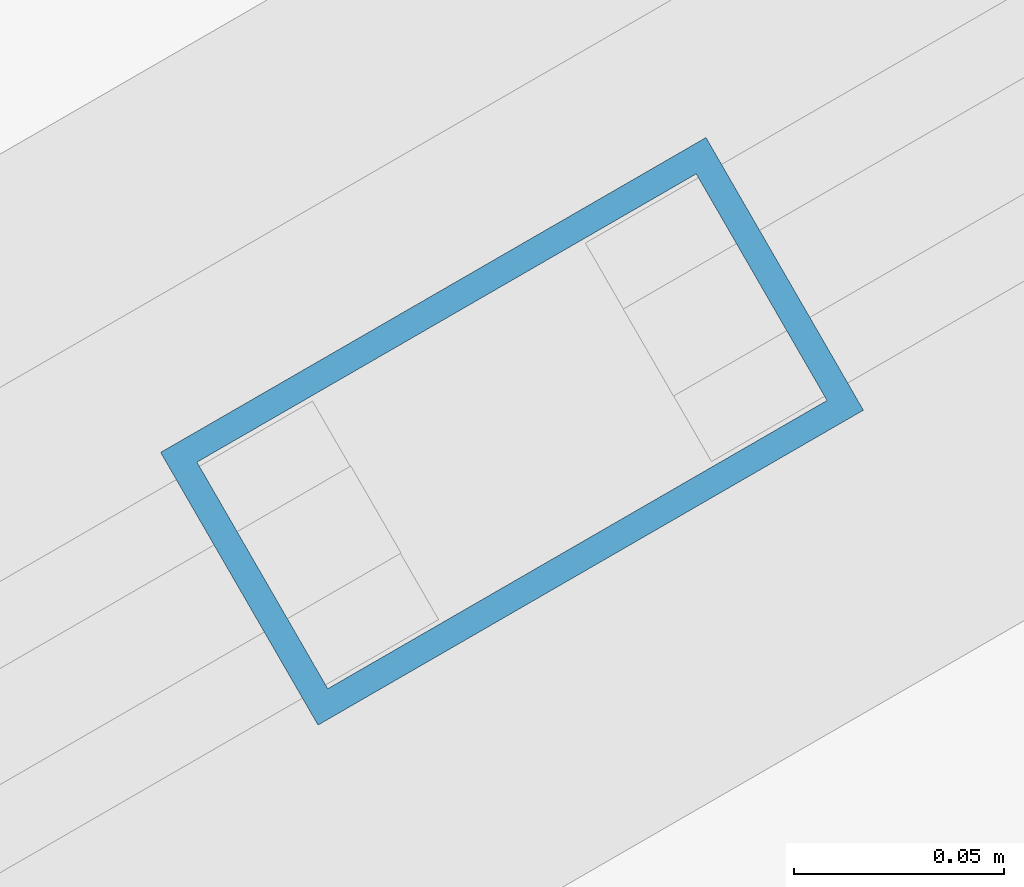
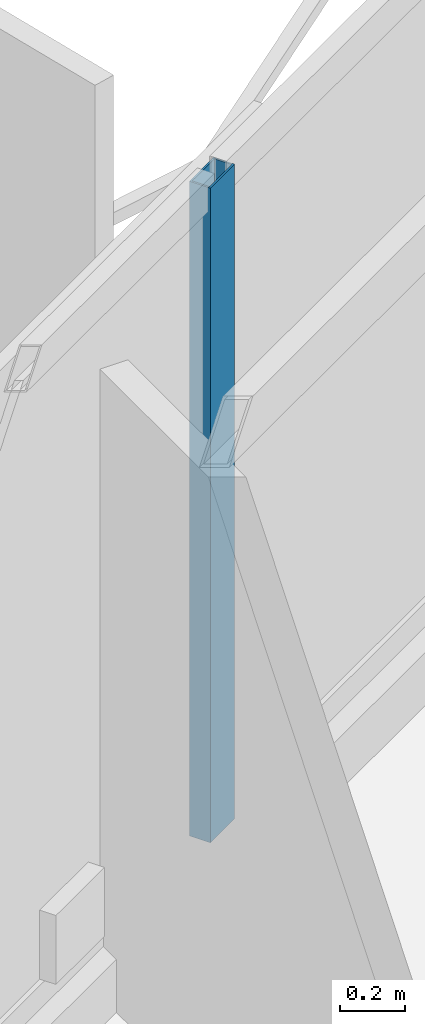
# One storey, part 11 of 22: 1 member, 1 element without a shape of its own.
"""IFC4 building model written with IfcOpenShell, lengths in metres."""

import ifcopenshell
import ifcopenshell.guid

model = None  # the IFC model being written
_history = None  # IfcOwnerHistory: only IFC2X3 demands one
_inside = {}  # id of a spatial element -> (the spatial element, [elements in it])
_under = {}  # id of a project, library or spatial element -> (it, [spatial elements below it])
_declared = {}  # id of a project -> (the project, [libraries it declares])
_typed = {}  # id of a type object -> (the type object, [elements of that type])
_made_of = {}  # id of a material, layer set ... -> (it, [elements and type objects made of it])


def new_model(schema):
    """Start an empty IFC model of exactly this schema.

    Asked for "IFC4X3", IfcOpenShell would pick the latest addendum, in which some entities
    have other attributes; the version numbers below select the first issue.
    IFC2X3 requires an IfcOwnerHistory on every rooted entity: one is made here for all.
    """
    global model, _history
    if schema == "IFC4X3":
        model = ifcopenshell.file(schema_version=(4, 3, 0, 0))
    else:
        model = ifcopenshell.file(schema=schema)
    _inside.clear()
    _under.clear()
    _declared.clear()
    _typed.clear()
    _made_of.clear()
    _history = None
    if model.schema == "IFC2X3":
        org = make("IfcOrganization", Name="unknown")
        user = make(
            "IfcPersonAndOrganization",
            ThePerson=make("IfcPerson", FamilyName="unknown"),
            TheOrganization=org,
        )
        app = make(
            "IfcApplication",
            ApplicationDeveloper=org,
            Version="unknown",
            ApplicationFullName="unknown",
            ApplicationIdentifier="unknown",
        )
        _history = make(
            "IfcOwnerHistory",
            OwningUser=user,
            OwningApplication=app,
            ChangeAction="ADDED",
            CreationDate=0,
        )
    return model


def make(cls, **values):
    """One entity of the class cls with the attributes given. An attribute that is None is left unset."""
    return model.create_entity(
        cls, **{name: value for name, value in values.items() if value is not None}
    )


def rooted(cls, **values):
    """An entity with a GlobalId (a new one), such as an element, a storey or a relation."""
    return make(cls, GlobalId=ifcopenshell.guid.new(), OwnerHistory=_history, **values)


def si_unit(unit_type, name, prefix=None):
    """IfcSIUnit, for example si_unit("LENGTHUNIT", "METRE", prefix="MILLI")."""
    return make("IfcSIUnit", UnitType=unit_type, Prefix=prefix, Name=name)


def assignment(units):
    """IfcUnitAssignment: the units of a project."""
    return None if units is None else make("IfcUnitAssignment", Units=units)


def point(xyz):
    """IfcCartesianPoint."""
    return None if xyz is None else make("IfcCartesianPoint", Coordinates=xyz)


def direction(xyz):
    """IfcDirection."""
    return None if xyz is None else make("IfcDirection", DirectionRatios=xyz)


def frame(location, z_axis=None, x_axis=None):
    """IfcAxis2Placement3D, a coordinate frame: its origin and axes. An axis left out is left unset."""
    return make(
        "IfcAxis2Placement3D",
        Location=point(location),
        Axis=direction(z_axis),
        RefDirection=direction(x_axis),
    )


def frame_2d(location, x_axis=None):
    """IfcAxis2Placement2D, a coordinate frame in the plane: its origin and x axis."""
    return make(
        "IfcAxis2Placement2D", Location=point(location), RefDirection=direction(x_axis)
    )


def origin():
    """The frame at (0, 0, 0) with its axes left unset."""
    return frame((0.0, 0.0, 0.0))


def origin_2d():
    """The frame at (0, 0) in the plane with its x axis left unset."""
    return frame_2d((0.0, 0.0))


def place(relative_to, where):
    """IfcLocalPlacement: puts the frame where relative to a parent placement (None: the world)."""
    return make(
        "IfcLocalPlacement", PlacementRelTo=relative_to, RelativePlacement=where
    )


def context(
    kind, dimensions, precision=None, world=None, true_north=None, identifier=None
):
    """IfcGeometricRepresentationContext, for example the 3D "Model" context."""
    return make(
        "IfcGeometricRepresentationContext",
        ContextIdentifier=identifier,
        ContextType=kind,
        CoordinateSpaceDimension=dimensions,
        Precision=precision,
        WorldCoordinateSystem=world,
        TrueNorth=true_north,
    )


def subcontext(parent, identifier, kind, view, scale=None):
    """IfcGeometricRepresentationSubContext, for example "Body" below "Model"."""
    return make(
        "IfcGeometricRepresentationSubContext",
        ContextIdentifier=identifier,
        ContextType=kind,
        ParentContext=parent,
        TargetScale=scale,
        TargetView=view,
    )


def project(units=None, contexts=None):
    """IfcProject with its units and contexts."""
    return rooted(
        "IfcProject",
        Name="project",
        RepresentationContexts=contexts,
        UnitsInContext=assignment(units),
    )


def spatial(cls, under=None, at=None, **own):
    """A site, building, storey or space (cls), placed at a placement, below another one or the project."""
    s = rooted(cls, ObjectPlacement=at, **own)
    if under is not None:
        _under.setdefault(under.id(), (under, []))[1].append(s)
    return s


def profile(cls, at=None, kind="AREA", **sizes):
    """A parametric profile (cls). Its sizes go by their IFC names, for example OverallWidth=200.0."""
    return make(cls, ProfileType=kind, Position=at, **sizes)


def hollow_rectangle(**sizes):
    """IfcRectangleHollowProfileDef."""
    return profile("IfcRectangleHollowProfileDef", **sizes)


def extrude(swept, where, along, depth):
    """IfcExtrudedAreaSolid: the profile swept, set in the frame where, extruded along a direction by depth."""
    return make(
        "IfcExtrudedAreaSolid",
        SweptArea=swept,
        Position=where,
        ExtrudedDirection=direction(along),
        Depth=depth,
    )


def shape(context_of_items, identifier, shape_type, items):
    """IfcShapeRepresentation: the items that make up one representation, for example the "Body"."""
    return make(
        "IfcShapeRepresentation",
        ContextOfItems=context_of_items,
        RepresentationIdentifier=identifier,
        RepresentationType=shape_type,
        Items=items,
    )


def material(Name=None, Category=None):
    """IfcMaterial."""
    return make("IfcMaterial", Name=Name, Category=Category)


def layer(
    of_material, thickness, ventilated=None, Name=None, Category=None, Priority=None
):
    """IfcMaterialLayer: one layer of a wall or slab, of a material (None: an air gap)."""
    return make(
        "IfcMaterialLayer",
        Material=of_material,
        LayerThickness=thickness,
        IsVentilated=ventilated,
        Name=Name,
        Category=Category,
        Priority=Priority,
    )


def layer_set(layers, Name=None):
    """IfcMaterialLayerSet."""
    return make("IfcMaterialLayerSet", MaterialLayers=layers, LayerSetName=Name)


def material_profile(
    of_material, cross_section, Name=None, Category=None, Priority=None
):
    """IfcMaterialProfile: a cross section and its material."""
    return make(
        "IfcMaterialProfile",
        Name=Name,
        Material=of_material,
        Profile=cross_section,
        Priority=Priority,
        Category=Category,
    )


def profile_set(profiles, Name=None, composite=None):
    """IfcMaterialProfileSet."""
    return make(
        "IfcMaterialProfileSet",
        Name=Name,
        MaterialProfiles=profiles,
        CompositeProfile=composite,
    )


def made_of(thing, what):
    """Note that an element or type object is made of a material, layer set ...; save() writes the relation."""
    if what is not None:
        _made_of.setdefault(what.id(), (what, []))[1].append(thing)
    return thing


def type_object(cls, material=None, **own):
    """A type object (cls), such as IfcWallType, which elements share."""
    return made_of(rooted(cls, **own), material)


def element(
    cls,
    number,
    at=None,
    inside=None,
    cuts=None,
    type_object=None,
    material=None,
    context=None,
    identifier="Body",
    shape_type=None,
    held_by="IfcProductDefinitionShape",
    body=None,
    shapes=None,
    **own,
):
    """One element of the class cls, such as IfcWall. Its Tag is "e" and its number.

    at: its placement. inside: the storey or other place that contains it. cuts: it is an
    opening in that element (IfcRelVoidsElement). A single representation is given by context,
    identifier, shape_type and body (its items); several are given by shapes. held_by: the class
    of the entity that holds the representations. save() writes the other relations.
    """
    e = rooted(cls, Tag="e%d" % number, ObjectPlacement=at, **own)
    if body is not None:
        shapes = [shape(context, identifier, shape_type, body)]
    if shapes is not None:
        e.Representation = make(held_by, Representations=shapes)
    if inside is not None:
        _inside.setdefault(inside.id(), (inside, []))[1].append(e)
    if cuts is not None:
        rooted(
            "IfcRelVoidsElement", RelatingBuildingElement=cuts, RelatedOpeningElement=e
        )
    if type_object is not None:
        _typed.setdefault(type_object.id(), (type_object, []))[1].append(e)
    return made_of(e, material)


def aggregate(whole, parts):
    """IfcRelAggregates: a whole, such as a stair, and the parts it consists of."""
    return rooted("IfcRelAggregates", RelatingObject=whole, RelatedObjects=parts)


def save(model, path):
    """Write the relations noted so far, then the file.

    IfcRelAggregates (storeys below a building ...), IfcRelContainedInSpatialStructure (elements
    in a storey), IfcRelDefinesByType, IfcRelAssociatesMaterial and IfcRelDeclares: one each for
    every whole, place, type object, material and project.
    """
    for whole, parts in _under.values():
        aggregate(whole, parts)
    for where, things in _inside.values():
        rooted(
            "IfcRelContainedInSpatialStructure",
            RelatedElements=things,
            RelatingStructure=where,
        )
    for kind, things in _typed.values():
        rooted("IfcRelDefinesByType", RelatedObjects=things, RelatingType=kind)
    for what, things in _made_of.values():
        rooted("IfcRelAssociatesMaterial", RelatedObjects=things, RelatingMaterial=what)
    for by, libraries in _declared.values():
        rooted("IfcRelDeclares", RelatingContext=by, RelatedDefinitions=libraries)
    model.write(path)


model = new_model("IFC4")

# Units and contexts
model_context = context("Model", 3, precision=1e-05, world=origin(), true_north=direction((0.0, 1.0)))
body_context = subcontext(model_context, "Body", "Model", "MODEL_VIEW")
ifc_project = project(units=[si_unit("LENGTHUNIT", "METRE"), si_unit("AREAUNIT", "SQUARE_METRE"), si_unit("VOLUMEUNIT", "CUBIC_METRE"), si_unit("PLANEANGLEUNIT", "RADIAN"), si_unit("MASSUNIT", "GRAM", prefix="KILO")], contexts=[model_context])

# Site, building, storey
site_placement = place(None, origin())
site = spatial("IfcSite", under=ifc_project, at=site_placement, CompositionType="ELEMENT")
building_placement = place(site_placement, origin())
building = spatial("IfcBuilding", under=site, at=building_placement, Name="Mersakhor Tower and Convention Hall", CompositionType="ELEMENT")
storey_placement = place(building_placement, frame((0.0, 0.0, 76.800048828125)))
storey = spatial("IfcBuildingStorey", under=building, at=storey_placement, Name="L20", CompositionType="ELEMENT", Elevation=76.800048828125)

# Curtain wall, member
ifc_material_1 = material(Name="Dark solar low-E aluminium curtain wall", Category="aluminium")
ifc_layer = layer(ifc_material_1, 0.159912109375)
ifc_layer_set = layer_set([ifc_layer], Name="Dark solar low-E aluminium curtain wall")
curtain_wall_type = type_object("IfcCurtainWallType", Name="CW-SYS-01", PredefinedType="USERDEFINED", material=ifc_layer_set)
curtain_wall_placement = place(storey_placement, origin())
curtain_wall = element("IfcCurtainWall", 1, at=curtain_wall_placement, inside=storey, type_object=curtain_wall_type, Name="L20 Dark-Glass Curtain Wall F1-B2", ObjectType="CURTAIN WALL", PredefinedType="USERDEFINED")
ifc_material_2 = material(Name="Anodised aluminium EN AW-6063 T6", Category="aluminium")
ifc_material_profile = material_profile(ifc_material_2, hollow_rectangle(XDim=0.074951171875, YDim=0.14990234375, WallThickness=0.00634765625, at=origin_2d()), Name="RHS 150x75x6.3")
ifc_profile_set = profile_set([ifc_material_profile], Name="Anodised aluminium EN AW-6063 T6")
member_type = type_object("IfcMemberType", Name="CWM-150x75", PredefinedType="MULLION", material=ifc_profile_set)
member_placement = place(storey_placement, frame((20.36181640625, 37.968505859375, 0.199951171875), z_axis=(0.0, 0.0, 1.0), x_axis=(-0.499997904985, 0.866026613339, 0.0)))
member = element("IfcMember", 2, at=member_placement, type_object=member_type, Name="CW-01 mullion 2", PredefinedType="MULLION", context=body_context, shape_type="SweptSolid", body=[
    extrude(hollow_rectangle(XDim=0.074951171875, YDim=0.14990234375, WallThickness=0.00634765625, at=origin_2d()), origin(), (0.0, 0.0, 1.0), 2.469970703125),
])
aggregate(curtain_wall, [member])

save(model, "model.ifc")
